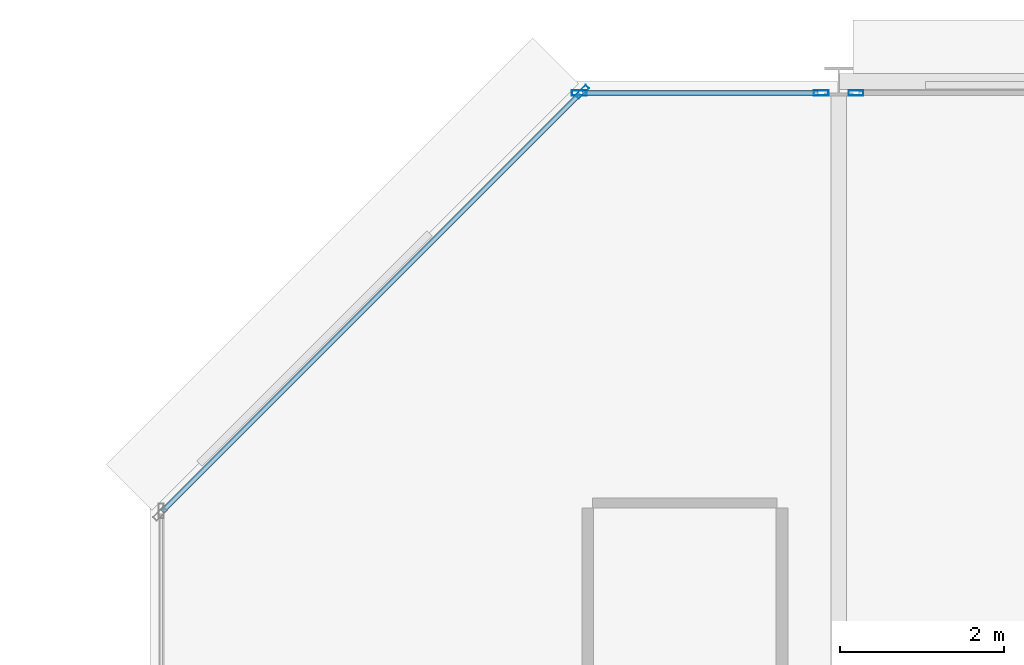
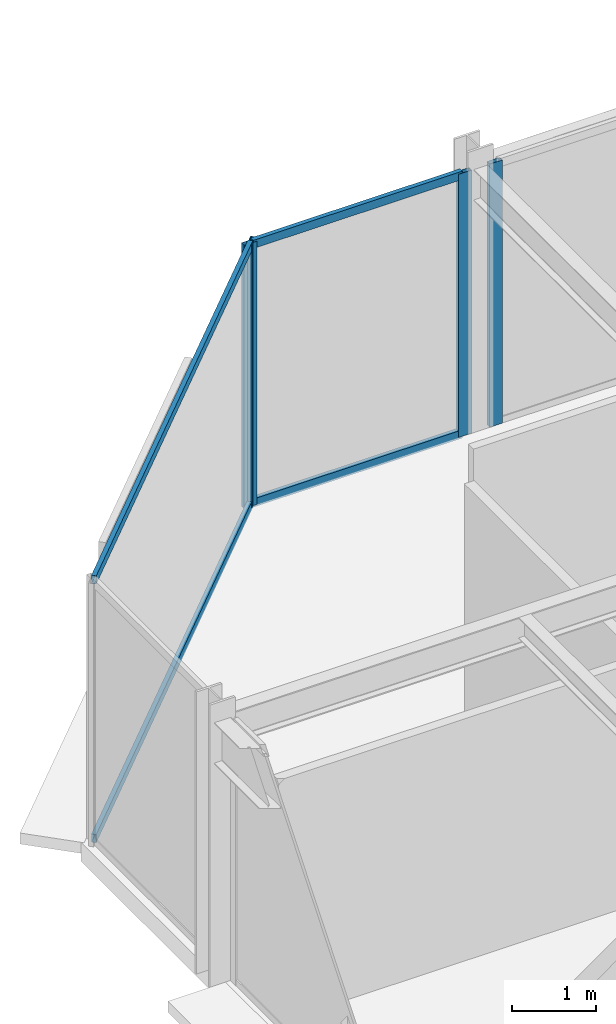
# One storey, part 20 of 29: 8 members, 3 elements without a shape of their own.
"""IFC4 building model written with IfcOpenShell, lengths in metres."""

from ifc_helpers import new_model, si_unit, direction, frame, origin, origin_2d, place, context, subcontext, project, spatial, hollow_rectangle, extrude, material, layer, layer_set, material_profile, profile_set, type_object, element, aggregate, save


model = new_model("IFC4")

# Units and contexts
model_context = context("Model", 3, precision=1e-05, world=origin(), true_north=direction((0.0, 1.0)))
body_context = subcontext(model_context, "Body", "Model", "MODEL_VIEW")
ifc_project = project(units=[si_unit("LENGTHUNIT", "METRE"), si_unit("AREAUNIT", "SQUARE_METRE"), si_unit("VOLUMEUNIT", "CUBIC_METRE"), si_unit("PLANEANGLEUNIT", "RADIAN"), si_unit("MASSUNIT", "GRAM", prefix="KILO")], contexts=[model_context])

# Site, building, storey
site_placement = place(None, origin())
site = spatial("IfcSite", under=ifc_project, at=site_placement, CompositionType="ELEMENT")
building_placement = place(site_placement, origin())
building = spatial("IfcBuilding", under=site, at=building_placement, Name="Nerrivon Quay Data Exchange", CompositionType="ELEMENT")
storey_placement = place(building_placement, frame((0.0, 0.0, 204.199951171875)))
storey = spatial("IfcBuildingStorey", under=building, at=storey_placement, Name="L48", CompositionType="ELEMENT", Elevation=204.199951171875)

# Curtain wall, member
ifc_material = material(Name="Anodised aluminium 6063-T6", Category="aluminium")
ifc_layer = layer(ifc_material, 0.195068359375)
ifc_layer_set = layer_set([ifc_layer], Name="Anodised aluminium 6063-T6")
curtain_wall_type = type_object("IfcCurtainWallType", Name="CW-SYS-06", PredefinedType="NOTDEFINED", material=ifc_layer_set)
curtain_wall_1_placement = place(storey_placement, origin())
curtain_wall_1 = element("IfcCurtainWall", 1, at=curtain_wall_1_placement, inside=storey, type_object=curtain_wall_type, Name="L48 Unitised Curtain Wall 7", PredefinedType="NOTDEFINED")
ifc_material_profile_1 = material_profile(ifc_material, hollow_rectangle(XDim=0.06494140625, YDim=0.179931640625, WallThickness=0.00341796875, at=origin_2d()), Name="ALU-MULL-180x65")
ifc_profile_set_1 = profile_set([ifc_material_profile_1], Name="Anodised aluminium 6063-T6")
member_type_1 = type_object("IfcMemberType", Name="CWM-180x65", PredefinedType="MULLION", material=ifc_profile_set_1)
member_1_placement = place(storey_placement, frame((5.2724609375, 50.2744140625, 0.0), z_axis=(0.0, 0.0, 1.0), x_axis=(-0.707106781187, 0.707106781187, 0.0)))
member_1 = element("IfcMember", 2, at=member_1_placement, type_object=member_type_1, Name="CW06 mullion 2", PredefinedType="MULLION", context=body_context, shape_type="SweptSolid", body=[
    extrude(hollow_rectangle(XDim=0.06494140625, YDim=0.179931640625, WallThickness=0.00341796875, at=origin_2d()), origin(), (0.0, 0.0, 1.0), 3.824951171875),
])

# Curtain wall, members
curtain_wall_2_placement = place(storey_placement, origin())
curtain_wall_2 = element("IfcCurtainWall", 3, at=curtain_wall_2_placement, inside=storey, type_object=curtain_wall_type, Name="L48 Unitised Curtain Wall 8", PredefinedType="NOTDEFINED")
member_2_placement = place(storey_placement, frame((5.237548828125, 50.260009765625, 0.0), z_axis=(0.0, 0.0, 1.0), x_axis=(0.0, 1.0, 0.0)))
member_2 = element("IfcMember", 4, at=member_2_placement, type_object=member_type_1, Name="CW06 mullion 1", PredefinedType="MULLION", context=body_context, shape_type="SweptSolid", body=[
    extrude(hollow_rectangle(XDim=0.06494140625, YDim=0.179931640625, WallThickness=0.00341796875, at=origin_2d()), origin(), (0.0, 0.0, 1.0), 3.824951171875),
])
member_3_placement = place(storey_placement, frame((8.1875, 50.260009765625, 0.0), z_axis=(0.0, 0.0, 1.0), x_axis=(0.0, 1.0, 0.0)))
member_3 = element("IfcMember", 5, at=member_3_placement, type_object=member_type_1, Name="CW06 mullion 2", PredefinedType="MULLION", context=body_context, shape_type="SweptSolid", body=[
    extrude(hollow_rectangle(XDim=0.06494140625, YDim=0.179931640625, WallThickness=0.00341796875, at=origin_2d()), origin(), (0.0, 0.0, 1.0), 3.824951171875),
])

# Curtain wall, member
curtain_wall_3_placement = place(storey_placement, origin())
curtain_wall_3 = element("IfcCurtainWall", 6, at=curtain_wall_3_placement, inside=storey, type_object=curtain_wall_type, Name="L48 Unitised Curtain Wall 9", PredefinedType="NOTDEFINED")
member_4_placement = place(storey_placement, frame((8.612548828125, 50.260009765625, 0.0), z_axis=(0.0, 0.0, 1.0), x_axis=(0.0, 1.0, 0.0)))
member_4 = element("IfcMember", 7, at=member_4_placement, type_object=member_type_1, Name="CW06 mullion 1", PredefinedType="MULLION", context=body_context, shape_type="SweptSolid", body=[
    extrude(hollow_rectangle(XDim=0.06494140625, YDim=0.179931640625, WallThickness=0.00341796875, at=origin_2d()), origin(), (0.0, 0.0, 1.0), 3.824951171875),
])
aggregate(curtain_wall_3, [member_4])

# Member
ifc_material_profile_2 = material_profile(ifc_material, hollow_rectangle(XDim=0.06005859375, YDim=0.1201171875, WallThickness=0.003173828125, at=origin_2d()), Name="ALU-TRAN-120x60")
ifc_profile_set_2 = profile_set([ifc_material_profile_2], Name="Anodised aluminium 6063-T6")
member_type_2 = type_object("IfcMemberType", Name="CWT-120x60", PredefinedType="USERDEFINED", material=ifc_profile_set_2)
member_5_placement = place(storey_placement, frame((0.152099609375, 45.154052734375, 0.032470703125), z_axis=(0.707089835771, 0.707123726196, 0.0), x_axis=(-0.707123726196, 0.707089835771, 0.0)))
member_5 = element("IfcMember", 8, at=member_5_placement, type_object=member_type_2, Name="CW06 transom 1.1", ObjectType="TRANSOM", PredefinedType="USERDEFINED", context=body_context, shape_type="SweptSolid", body=[
    extrude(hollow_rectangle(XDim=0.06005859375, YDim=0.1201171875, WallThickness=0.003173828125, at=origin_2d()), origin(), (0.0, 0.0, 1.0), 7.203857421875),
])

member_6_placement = place(storey_placement, frame((0.152099609375, 45.154052734375, 3.79248046875), z_axis=(0.707089835771, 0.707123726196, 0.0), x_axis=(-0.707123726196, 0.707089835771, 0.0)))
member_6 = element("IfcMember", 9, at=member_6_placement, type_object=member_type_2, Name="CW06 transom 1.2", ObjectType="TRANSOM", PredefinedType="USERDEFINED", context=body_context, shape_type="SweptSolid", body=[
    extrude(hollow_rectangle(XDim=0.06005859375, YDim=0.1201171875, WallThickness=0.003173828125, at=origin_2d()), origin(), (0.0, 0.0, 1.0), 7.203857421875),
])

aggregate(curtain_wall_1, [member_1, member_5, member_6])

member_7_placement = place(storey_placement, frame((5.27490234375, 50.260009765625, 0.032470703125), z_axis=(1.0, 0.0, 0.0), x_axis=(0.0, 1.0, 0.0)))
member_7 = element("IfcMember", 10, at=member_7_placement, type_object=member_type_2, Name="CW06 transom 1.1", ObjectType="TRANSOM", PredefinedType="USERDEFINED", context=body_context, shape_type="SweptSolid", body=[
    extrude(hollow_rectangle(XDim=0.06005859375, YDim=0.1201171875, WallThickness=0.003173828125, at=origin_2d()), origin(), (0.0, 0.0, 1.0), 2.875),
])

member_8_placement = place(storey_placement, frame((5.27490234375, 50.260009765625, 3.79248046875), z_axis=(1.0, 0.0, 0.0), x_axis=(0.0, 1.0, 0.0)))
member_8 = element("IfcMember", 11, at=member_8_placement, type_object=member_type_2, Name="CW06 transom 1.2", ObjectType="TRANSOM", PredefinedType="USERDEFINED", context=body_context, shape_type="SweptSolid", body=[
    extrude(hollow_rectangle(XDim=0.06005859375, YDim=0.1201171875, WallThickness=0.003173828125, at=origin_2d()), origin(), (0.0, 0.0, 1.0), 2.875),
])

aggregate(curtain_wall_2, [member_2, member_3, member_7, member_8])

save(model, "model.ifc")
